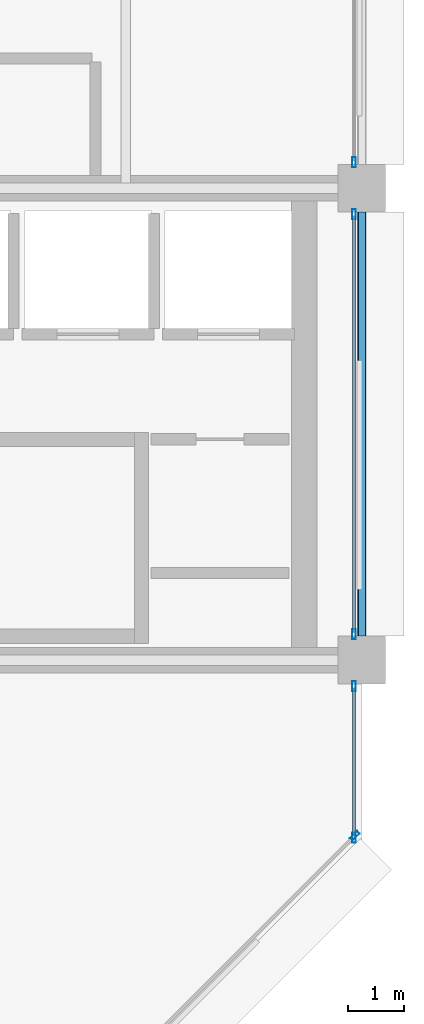
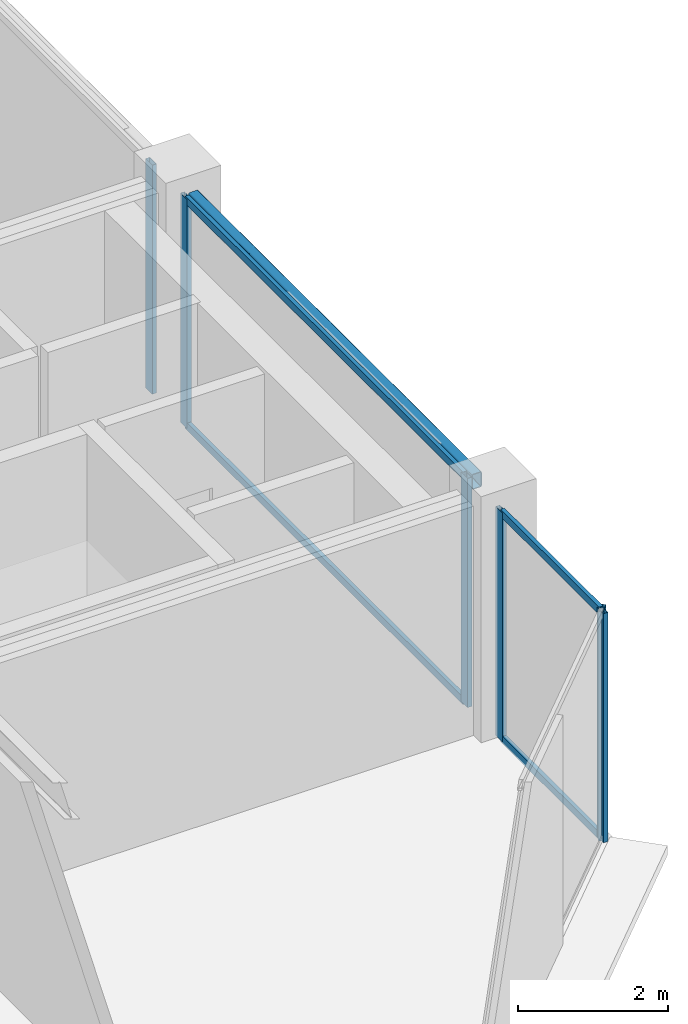
# One storey, part 14 of 25: 10 members, 1 beam, 4 elements without a shape of their own.
"""IFC4 building model written with IfcOpenShell, lengths in metres."""

from ifc_helpers import new_model, si_unit, direction, frame, origin, origin_2d, place, context, subcontext, project, spatial, hollow_rectangle, extrude, material, layer, layer_set, material_profile, profile_set, type_object, element, aggregate, save


model = new_model("IFC4")

# Units and contexts
model_context = context("Model", 3, precision=1e-05, world=origin(), true_north=direction((0.0, 1.0)))
body_context = subcontext(model_context, "Body", "Model", "MODEL_VIEW")
ifc_project = project(units=[si_unit("LENGTHUNIT", "METRE"), si_unit("AREAUNIT", "SQUARE_METRE"), si_unit("VOLUMEUNIT", "CUBIC_METRE"), si_unit("PLANEANGLEUNIT", "RADIAN"), si_unit("MASSUNIT", "GRAM", prefix="KILO")], contexts=[model_context])

# Site, building, storey
site_placement = place(None, origin())
site = spatial("IfcSite", under=ifc_project, at=site_placement, CompositionType="ELEMENT")
building_placement = place(site_placement, origin())
building = spatial("IfcBuilding", under=site, at=building_placement, Name="Nerrivon Quay Data Exchange", CompositionType="ELEMENT")
storey_placement = place(building_placement, frame((0.0, 0.0, 314.199951171875)))
storey = spatial("IfcBuildingStorey", under=building, at=storey_placement, Name="L75", CompositionType="ELEMENT", Elevation=314.199951171875)

# Beam
ifc_material_1 = material(Name="Steel Grade C350L0 (350 MPa)", Category="steel")
ifc_material_profile_1 = material_profile(ifc_material_1, hollow_rectangle(XDim=0.14990234375, YDim=0.25, WallThickness=0.009033203125, InnerFilletRadius=0.013427734375, OuterFilletRadius=0.0224609375, at=origin_2d()), Name="250x150x9.0RHS")
ifc_profile_set_1 = profile_set([ifc_material_profile_1], Name="Steel Grade C350L0 (350 MPa)")
beam_type = type_object("IfcBeamType", Name="BM-SP4-250x150RHS", PredefinedType="SPANDREL", material=ifc_profile_set_1)
beam_placement = place(storey_placement, frame((33.60009765625, 8.824951171875, 3.60009765625), z_axis=(0.0, 1.0, 0.0), x_axis=(-1.0, 0.0, 0.0)))
element("IfcBeam", 1, at=beam_placement, inside=storey, type_object=beam_type, Name="L75 NS Girder X=33.6 (8.4..16.8)", PredefinedType="SPANDREL", context=body_context, shape_type="SweptSolid", body=[
    extrude(hollow_rectangle(XDim=0.14990234375, YDim=0.25, WallThickness=0.009033203125, InnerFilletRadius=0.013427734375, OuterFilletRadius=0.0224609375, at=origin_2d()), origin(), (0.0, 0.0, 1.0), 7.550048828125),
])

# Curtain wall, member
ifc_material_2 = material(Name="Anodised aluminium 6063-T6", Category="aluminium")
ifc_layer = layer(ifc_material_2, 0.195068359375)
ifc_layer_set = layer_set([ifc_layer], Name="Anodised aluminium 6063-T6")
curtain_wall_type = type_object("IfcCurtainWallType", Name="CW-SYS-06", PredefinedType="NOTDEFINED", material=ifc_layer_set)
curtain_wall_1_placement = place(storey_placement, origin())
curtain_wall_1 = element("IfcCurtainWall", 2, at=curtain_wall_1_placement, inside=storey, type_object=curtain_wall_type, Name="L75 Unitised Curtain Wall 1", PredefinedType="NOTDEFINED")
ifc_material_profile_2 = material_profile(ifc_material_2, hollow_rectangle(XDim=0.06494140625, YDim=0.179931640625, WallThickness=0.00341796875, at=origin_2d()), Name="ALU-MULL-180x65")
ifc_profile_set_2 = profile_set([ifc_material_profile_2], Name="Anodised aluminium 6063-T6")
member_type_1 = type_object("IfcMemberType", Name="CWM-180x65", PredefinedType="MULLION", material=ifc_profile_set_2)
member_1_placement = place(storey_placement, frame((33.474365234375, 5.2724609375, 0.0), z_axis=(0.0, 0.0, 1.0), x_axis=(0.707106781187, -0.707106781187, 0.0)))
member_1 = element("IfcMember", 3, at=member_1_placement, type_object=member_type_1, Name="CW06 mullion 1", PredefinedType="MULLION", context=body_context, shape_type="SweptSolid", body=[
    extrude(hollow_rectangle(XDim=0.06494140625, YDim=0.179931640625, WallThickness=0.00341796875, at=origin_2d()), origin(), (0.0, 0.0, 1.0), 3.72509765625),
])
aggregate(curtain_wall_1, [member_1])

curtain_wall_2_placement = place(storey_placement, origin())
curtain_wall_2 = element("IfcCurtainWall", 4, at=curtain_wall_2_placement, inside=storey, type_object=curtain_wall_type, Name="L75 Unitised Curtain Wall 22", PredefinedType="NOTDEFINED")
member_2_placement = place(storey_placement, frame((33.4599609375, 17.262451171875, 0.0), z_axis=(0.0, 0.0, 1.0), x_axis=(1.0, 0.0, 0.0)))
member_2 = element("IfcMember", 5, at=member_2_placement, type_object=member_type_1, Name="CW06 mullion 2", PredefinedType="MULLION", context=body_context, shape_type="SweptSolid", body=[
    extrude(hollow_rectangle(XDim=0.06494140625, YDim=0.179931640625, WallThickness=0.00341796875, at=origin_2d()), origin(), (0.0, 0.0, 1.0), 3.72509765625),
])
aggregate(curtain_wall_2, [member_2])

# Curtain wall, members
curtain_wall_3_placement = place(storey_placement, origin())
curtain_wall_3 = element("IfcCurtainWall", 6, at=curtain_wall_3_placement, inside=storey, type_object=curtain_wall_type, Name="L75 Unitised Curtain Wall 23", PredefinedType="NOTDEFINED")
member_3_placement = place(storey_placement, frame((33.4599609375, 16.33740234375, 0.0), z_axis=(0.0, 0.0, 1.0), x_axis=(1.0, 0.0, 0.0)))
member_3 = element("IfcMember", 7, at=member_3_placement, type_object=member_type_1, Name="CW06 mullion 1", PredefinedType="MULLION", context=body_context, shape_type="SweptSolid", body=[
    extrude(hollow_rectangle(XDim=0.06494140625, YDim=0.179931640625, WallThickness=0.00341796875, at=origin_2d()), origin(), (0.0, 0.0, 1.0), 3.72509765625),
])
member_4_placement = place(storey_placement, frame((33.4599609375, 8.862548828125, 0.0), z_axis=(0.0, 0.0, 1.0), x_axis=(1.0, 0.0, 0.0)))
member_4 = element("IfcMember", 8, at=member_4_placement, type_object=member_type_1, Name="CW06 mullion 2", PredefinedType="MULLION", context=body_context, shape_type="SweptSolid", body=[
    extrude(hollow_rectangle(XDim=0.06494140625, YDim=0.179931640625, WallThickness=0.00341796875, at=origin_2d()), origin(), (0.0, 0.0, 1.0), 3.72509765625),
])

curtain_wall_4_placement = place(storey_placement, origin())
curtain_wall_4 = element("IfcCurtainWall", 9, at=curtain_wall_4_placement, inside=storey, type_object=curtain_wall_type, Name="L75 Unitised Curtain Wall 24", PredefinedType="NOTDEFINED")
member_5_placement = place(storey_placement, frame((33.4599609375, 7.9375, 0.0), z_axis=(0.0, 0.0, 1.0), x_axis=(1.0, 0.0, 0.0)))
member_5 = element("IfcMember", 10, at=member_5_placement, type_object=member_type_1, Name="CW06 mullion 1", PredefinedType="MULLION", context=body_context, shape_type="SweptSolid", body=[
    extrude(hollow_rectangle(XDim=0.06494140625, YDim=0.179931640625, WallThickness=0.00341796875, at=origin_2d()), origin(), (0.0, 0.0, 1.0), 3.72509765625),
])
member_6_placement = place(storey_placement, frame((33.4599609375, 5.237548828125, 0.0), z_axis=(0.0, 0.0, 1.0), x_axis=(1.0, 0.0, 0.0)))
member_6 = element("IfcMember", 11, at=member_6_placement, type_object=member_type_1, Name="CW06 mullion 2", PredefinedType="MULLION", context=body_context, shape_type="SweptSolid", body=[
    extrude(hollow_rectangle(XDim=0.06494140625, YDim=0.179931640625, WallThickness=0.00341796875, at=origin_2d()), origin(), (0.0, 0.0, 1.0), 3.72509765625),
])

# Member
ifc_material_profile_3 = material_profile(ifc_material_2, hollow_rectangle(XDim=0.06005859375, YDim=0.1201171875, WallThickness=0.003173828125, at=origin_2d()), Name="ALU-TRAN-120x60")
ifc_profile_set_3 = profile_set([ifc_material_profile_3], Name="Anodised aluminium 6063-T6")
member_type_2 = type_object("IfcMemberType", Name="CWT-120x60", PredefinedType="USERDEFINED", material=ifc_profile_set_3)
member_7_placement = place(storey_placement, frame((33.4599609375, 16.300048828125, 0.032470703125), z_axis=(0.0, -1.0, 0.0), x_axis=(1.0, 0.0, 0.0)))
member_7 = element("IfcMember", 12, at=member_7_placement, type_object=member_type_2, Name="CW06 transom 1.1", ObjectType="TRANSOM", PredefinedType="USERDEFINED", context=body_context, shape_type="SweptSolid", body=[
    extrude(hollow_rectangle(XDim=0.06005859375, YDim=0.1201171875, WallThickness=0.003173828125, at=origin_2d()), origin(), (0.0, 0.0, 1.0), 7.400146484375),
])

member_8_placement = place(storey_placement, frame((33.4599609375, 16.300048828125, 3.692626953125), z_axis=(0.0, -1.0, 0.0), x_axis=(1.0, 0.0, 0.0)))
member_8 = element("IfcMember", 13, at=member_8_placement, type_object=member_type_2, Name="CW06 transom 1.2", ObjectType="TRANSOM", PredefinedType="USERDEFINED", context=body_context, shape_type="SweptSolid", body=[
    extrude(hollow_rectangle(XDim=0.06005859375, YDim=0.1201171875, WallThickness=0.003173828125, at=origin_2d()), origin(), (0.0, 0.0, 1.0), 7.400146484375),
])

aggregate(curtain_wall_3, [member_3, member_4, member_7, member_8])

member_9_placement = place(storey_placement, frame((33.4599609375, 7.89990234375, 0.032470703125), z_axis=(0.0, -1.0, 0.0), x_axis=(1.0, 0.0, 0.0)))
member_9 = element("IfcMember", 14, at=member_9_placement, type_object=member_type_2, Name="CW06 transom 1.1", ObjectType="TRANSOM", PredefinedType="USERDEFINED", context=body_context, shape_type="SweptSolid", body=[
    extrude(hollow_rectangle(XDim=0.06005859375, YDim=0.1201171875, WallThickness=0.003173828125, at=origin_2d()), origin(), (0.0, 0.0, 1.0), 2.625),
])

member_10_placement = place(storey_placement, frame((33.4599609375, 7.89990234375, 3.692626953125), z_axis=(0.0, -1.0, 0.0), x_axis=(1.0, 0.0, 0.0)))
member_10 = element("IfcMember", 15, at=member_10_placement, type_object=member_type_2, Name="CW06 transom 1.2", ObjectType="TRANSOM", PredefinedType="USERDEFINED", context=body_context, shape_type="SweptSolid", body=[
    extrude(hollow_rectangle(XDim=0.06005859375, YDim=0.1201171875, WallThickness=0.003173828125, at=origin_2d()), origin(), (0.0, 0.0, 1.0), 2.625),
])

aggregate(curtain_wall_4, [member_5, member_6, member_9, member_10])

save(model, "model.ifc")
